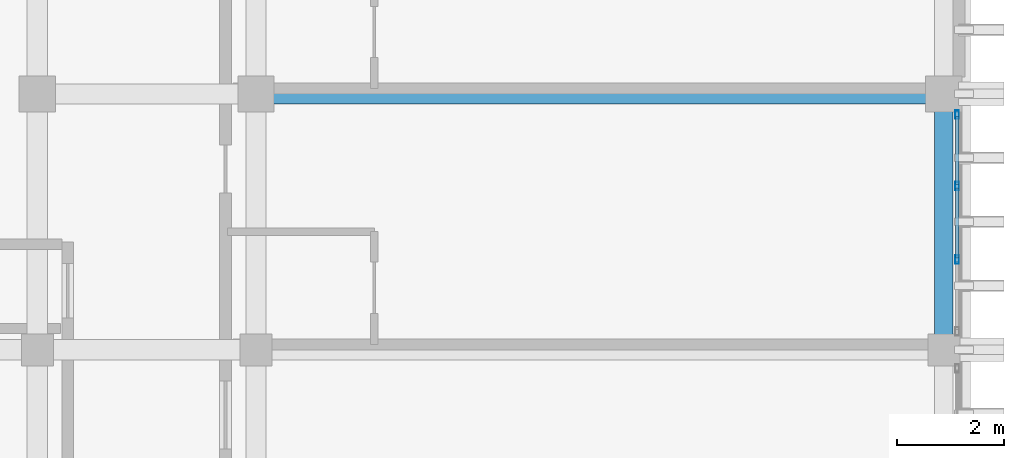
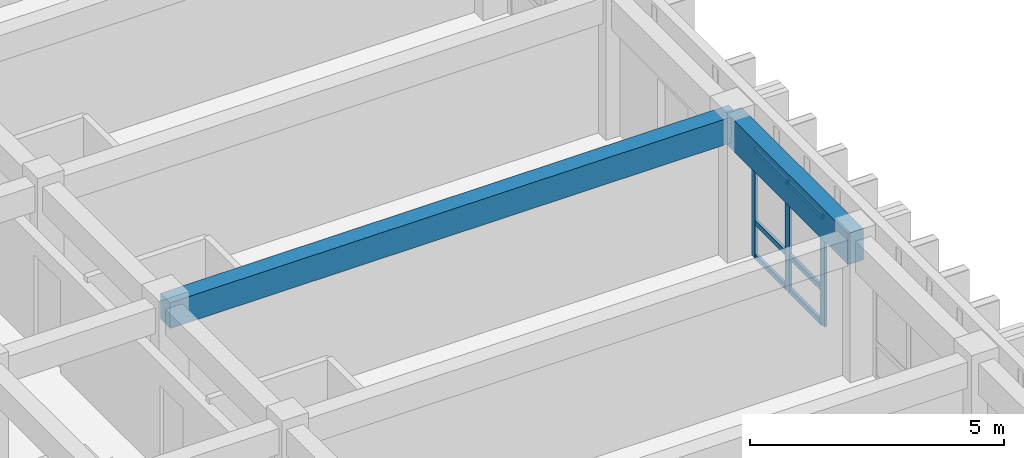
# One storey, part 32 of 53: 9 members, 2 beams, 1 element without a shape of its own.
"""IFC4 building model written with IfcOpenShell, lengths in metres."""

import ifcopenshell
import ifcopenshell.guid

model = None  # the IFC model being written
_history = None  # IfcOwnerHistory: only IFC2X3 demands one
_inside = {}  # id of a spatial element -> (the spatial element, [elements in it])
_under = {}  # id of a project, library or spatial element -> (it, [spatial elements below it])
_declared = {}  # id of a project -> (the project, [libraries it declares])
_typed = {}  # id of a type object -> (the type object, [elements of that type])
_made_of = {}  # id of a material, layer set ... -> (it, [elements and type objects made of it])


def new_model(schema):
    """Start an empty IFC model of exactly this schema.

    Asked for "IFC4X3", IfcOpenShell would pick the latest addendum, in which some entities
    have other attributes; the version numbers below select the first issue.
    IFC2X3 requires an IfcOwnerHistory on every rooted entity: one is made here for all.
    """
    global model, _history
    if schema == "IFC4X3":
        model = ifcopenshell.file(schema_version=(4, 3, 0, 0))
    else:
        model = ifcopenshell.file(schema=schema)
    _inside.clear()
    _under.clear()
    _declared.clear()
    _typed.clear()
    _made_of.clear()
    _history = None
    if model.schema == "IFC2X3":
        org = make("IfcOrganization", Name="unknown")
        user = make(
            "IfcPersonAndOrganization",
            ThePerson=make("IfcPerson", FamilyName="unknown"),
            TheOrganization=org,
        )
        app = make(
            "IfcApplication",
            ApplicationDeveloper=org,
            Version="unknown",
            ApplicationFullName="unknown",
            ApplicationIdentifier="unknown",
        )
        _history = make(
            "IfcOwnerHistory",
            OwningUser=user,
            OwningApplication=app,
            ChangeAction="ADDED",
            CreationDate=0,
        )
    return model


def make(cls, **values):
    """One entity of the class cls with the attributes given. An attribute that is None is left unset."""
    return model.create_entity(
        cls, **{name: value for name, value in values.items() if value is not None}
    )


def rooted(cls, **values):
    """An entity with a GlobalId (a new one), such as an element, a storey or a relation."""
    return make(cls, GlobalId=ifcopenshell.guid.new(), OwnerHistory=_history, **values)


def si_unit(unit_type, name, prefix=None):
    """IfcSIUnit, for example si_unit("LENGTHUNIT", "METRE", prefix="MILLI")."""
    return make("IfcSIUnit", UnitType=unit_type, Prefix=prefix, Name=name)


def assignment(units):
    """IfcUnitAssignment: the units of a project."""
    return None if units is None else make("IfcUnitAssignment", Units=units)


def point(xyz):
    """IfcCartesianPoint."""
    return None if xyz is None else make("IfcCartesianPoint", Coordinates=xyz)


def direction(xyz):
    """IfcDirection."""
    return None if xyz is None else make("IfcDirection", DirectionRatios=xyz)


def frame(location, z_axis=None, x_axis=None):
    """IfcAxis2Placement3D, a coordinate frame: its origin and axes. An axis left out is left unset."""
    return make(
        "IfcAxis2Placement3D",
        Location=point(location),
        Axis=direction(z_axis),
        RefDirection=direction(x_axis),
    )


def frame_2d(location, x_axis=None):
    """IfcAxis2Placement2D, a coordinate frame in the plane: its origin and x axis."""
    return make(
        "IfcAxis2Placement2D", Location=point(location), RefDirection=direction(x_axis)
    )


def origin():
    """The frame at (0, 0, 0) with its axes left unset."""
    return frame((0.0, 0.0, 0.0))


def origin_2d():
    """The frame at (0, 0) in the plane with its x axis left unset."""
    return frame_2d((0.0, 0.0))


def place(relative_to, where):
    """IfcLocalPlacement: puts the frame where relative to a parent placement (None: the world)."""
    return make(
        "IfcLocalPlacement", PlacementRelTo=relative_to, RelativePlacement=where
    )


def context(
    kind, dimensions, precision=None, world=None, true_north=None, identifier=None
):
    """IfcGeometricRepresentationContext, for example the 3D "Model" context."""
    return make(
        "IfcGeometricRepresentationContext",
        ContextIdentifier=identifier,
        ContextType=kind,
        CoordinateSpaceDimension=dimensions,
        Precision=precision,
        WorldCoordinateSystem=world,
        TrueNorth=true_north,
    )


def subcontext(parent, identifier, kind, view, scale=None):
    """IfcGeometricRepresentationSubContext, for example "Body" below "Model"."""
    return make(
        "IfcGeometricRepresentationSubContext",
        ContextIdentifier=identifier,
        ContextType=kind,
        ParentContext=parent,
        TargetScale=scale,
        TargetView=view,
    )


def project(units=None, contexts=None):
    """IfcProject with its units and contexts."""
    return rooted(
        "IfcProject",
        Name="project",
        RepresentationContexts=contexts,
        UnitsInContext=assignment(units),
    )


def spatial(cls, under=None, at=None, **own):
    """A site, building, storey or space (cls), placed at a placement, below another one or the project."""
    s = rooted(cls, ObjectPlacement=at, **own)
    if under is not None:
        _under.setdefault(under.id(), (under, []))[1].append(s)
    return s


def profile(cls, at=None, kind="AREA", **sizes):
    """A parametric profile (cls). Its sizes go by their IFC names, for example OverallWidth=200.0."""
    return make(cls, ProfileType=kind, Position=at, **sizes)


def rectangle(**sizes):
    """IfcRectangleProfileDef."""
    return profile("IfcRectangleProfileDef", **sizes)


def hollow_rectangle(**sizes):
    """IfcRectangleHollowProfileDef."""
    return profile("IfcRectangleHollowProfileDef", **sizes)


def extrude(swept, where, along, depth):
    """IfcExtrudedAreaSolid: the profile swept, set in the frame where, extruded along a direction by depth."""
    return make(
        "IfcExtrudedAreaSolid",
        SweptArea=swept,
        Position=where,
        ExtrudedDirection=direction(along),
        Depth=depth,
    )


def shape(context_of_items, identifier, shape_type, items):
    """IfcShapeRepresentation: the items that make up one representation, for example the "Body"."""
    return make(
        "IfcShapeRepresentation",
        ContextOfItems=context_of_items,
        RepresentationIdentifier=identifier,
        RepresentationType=shape_type,
        Items=items,
    )


def material(Name=None, Category=None):
    """IfcMaterial."""
    return make("IfcMaterial", Name=Name, Category=Category)


def layer(
    of_material, thickness, ventilated=None, Name=None, Category=None, Priority=None
):
    """IfcMaterialLayer: one layer of a wall or slab, of a material (None: an air gap)."""
    return make(
        "IfcMaterialLayer",
        Material=of_material,
        LayerThickness=thickness,
        IsVentilated=ventilated,
        Name=Name,
        Category=Category,
        Priority=Priority,
    )


def layer_set(layers, Name=None):
    """IfcMaterialLayerSet."""
    return make("IfcMaterialLayerSet", MaterialLayers=layers, LayerSetName=Name)


def material_profile(
    of_material, cross_section, Name=None, Category=None, Priority=None
):
    """IfcMaterialProfile: a cross section and its material."""
    return make(
        "IfcMaterialProfile",
        Name=Name,
        Material=of_material,
        Profile=cross_section,
        Priority=Priority,
        Category=Category,
    )


def profile_set(profiles, Name=None, composite=None):
    """IfcMaterialProfileSet."""
    return make(
        "IfcMaterialProfileSet",
        Name=Name,
        MaterialProfiles=profiles,
        CompositeProfile=composite,
    )


def made_of(thing, what):
    """Note that an element or type object is made of a material, layer set ...; save() writes the relation."""
    if what is not None:
        _made_of.setdefault(what.id(), (what, []))[1].append(thing)
    return thing


def type_object(cls, material=None, **own):
    """A type object (cls), such as IfcWallType, which elements share."""
    return made_of(rooted(cls, **own), material)


def element(
    cls,
    number,
    at=None,
    inside=None,
    cuts=None,
    type_object=None,
    material=None,
    context=None,
    identifier="Body",
    shape_type=None,
    held_by="IfcProductDefinitionShape",
    body=None,
    shapes=None,
    **own,
):
    """One element of the class cls, such as IfcWall. Its Tag is "e" and its number.

    at: its placement. inside: the storey or other place that contains it. cuts: it is an
    opening in that element (IfcRelVoidsElement). A single representation is given by context,
    identifier, shape_type and body (its items); several are given by shapes. held_by: the class
    of the entity that holds the representations. save() writes the other relations.
    """
    e = rooted(cls, Tag="e%d" % number, ObjectPlacement=at, **own)
    if body is not None:
        shapes = [shape(context, identifier, shape_type, body)]
    if shapes is not None:
        e.Representation = make(held_by, Representations=shapes)
    if inside is not None:
        _inside.setdefault(inside.id(), (inside, []))[1].append(e)
    if cuts is not None:
        rooted(
            "IfcRelVoidsElement", RelatingBuildingElement=cuts, RelatedOpeningElement=e
        )
    if type_object is not None:
        _typed.setdefault(type_object.id(), (type_object, []))[1].append(e)
    return made_of(e, material)


def aggregate(whole, parts):
    """IfcRelAggregates: a whole, such as a stair, and the parts it consists of."""
    return rooted("IfcRelAggregates", RelatingObject=whole, RelatedObjects=parts)


def save(model, path):
    """Write the relations noted so far, then the file.

    IfcRelAggregates (storeys below a building ...), IfcRelContainedInSpatialStructure (elements
    in a storey), IfcRelDefinesByType, IfcRelAssociatesMaterial and IfcRelDeclares: one each for
    every whole, place, type object, material and project.
    """
    for whole, parts in _under.values():
        aggregate(whole, parts)
    for where, things in _inside.values():
        rooted(
            "IfcRelContainedInSpatialStructure",
            RelatedElements=things,
            RelatingStructure=where,
        )
    for kind, things in _typed.values():
        rooted("IfcRelDefinesByType", RelatedObjects=things, RelatingType=kind)
    for what, things in _made_of.values():
        rooted("IfcRelAssociatesMaterial", RelatedObjects=things, RelatingMaterial=what)
    for by, libraries in _declared.values():
        rooted("IfcRelDeclares", RelatingContext=by, RelatedDefinitions=libraries)
    model.write(path)


model = new_model("IFC4")

# Units and contexts
model_context = context("Model", 3, precision=1e-05, world=origin(), true_north=direction((0.0, 1.0)))
body_context = subcontext(model_context, "Body", "Model", "MODEL_VIEW")
ifc_project = project(units=[si_unit("LENGTHUNIT", "METRE"), si_unit("AREAUNIT", "SQUARE_METRE"), si_unit("VOLUMEUNIT", "CUBIC_METRE"), si_unit("PLANEANGLEUNIT", "RADIAN"), si_unit("MASSUNIT", "GRAM", prefix="KILO")], contexts=[model_context])

# Site, building, storey
site_placement = place(None, origin())
site = spatial("IfcSite", under=ifc_project, at=site_placement, CompositionType="ELEMENT")
building_placement = place(site_placement, origin())
building = spatial("IfcBuilding", under=site, at=building_placement, Name="Nakhvara Creek Congress Hotel", CompositionType="ELEMENT")
storey_placement = place(building_placement, frame((0.0, 0.0, 35.39990234375)))
storey = spatial("IfcBuildingStorey", under=building, at=storey_placement, Name="L08", CompositionType="ELEMENT", Elevation=35.39990234375)

# Beams
ifc_material_1 = material(Name="Concrete C40/50", Category="concrete")
ifc_material_profile_1 = material_profile(ifc_material_1, rectangle(XDim=0.3798828125, YDim=0.6201171875, at=origin_2d()), Name="RC-BM 380x620", Category="LoadBearing")
ifc_profile_set_1 = profile_set([ifc_material_profile_1], Name="Concrete C40/50")
beam_type_1 = type_object("IfcBeamType", Name="BM-RC-380X620", PredefinedType="BEAM", material=ifc_profile_set_1)
beam_1_placement = place(storey_placement, frame((166.449951171875, 105.60009765625, 3.050048828125), z_axis=(1.0, 0.0, 0.0), x_axis=(0.0, 1.0, 0.0)))
element("IfcBeam", 1, at=beam_1_placement, inside=storey, type_object=beam_type_1, Name="Beam B10-L08-2488", PredefinedType="BEAM", context=body_context, shape_type="SweptSolid", body=[
    extrude(rectangle(XDim=0.3798828125, YDim=0.6201171875, at=origin_2d()), origin(), (0.0, 0.0, 1.0), 12.900146484375),
])
ifc_material_profile_2 = material_profile(ifc_material_1, rectangle(XDim=0.35009765625, YDim=0.75, at=origin_2d()), Name="RC-SPANDREL 350x750", Category="LoadBearing")
ifc_profile_set_2 = profile_set([ifc_material_profile_2], Name="Concrete C40/50")
beam_type_2 = type_object("IfcBeamType", Name="BM-SPN-350X750", PredefinedType="SPANDREL", material=ifc_profile_set_2)
beam_2_placement = place(storey_placement, frame((179.35009765625, 100.800048828125, 2.985107421875), z_axis=(0.0, 1.0, 0.0), x_axis=(-1.0, 0.0, 0.0)))
element("IfcBeam", 2, at=beam_2_placement, inside=storey, type_object=beam_type_2, Name="Beam SP1-L08-2506", PredefinedType="SPANDREL", context=body_context, shape_type="SweptSolid", body=[
    extrude(rectangle(XDim=0.35009765625, YDim=0.75, at=origin_2d()), origin(), (0.0, 0.0, 1.0), 4.800048828125),
])

# Curtain wall, members
ifc_material_2 = material(Name="Bronze-anodised aluminium AW-6063-T6 and double-silver low-E glass", Category="aluminium")
ifc_layer = layer(ifc_material_2, 0.199951171875)
ifc_layer_set = layer_set([ifc_layer], Name="Bronze-anodised aluminium AW-6063-T6 and double-silver low-E glass")
curtain_wall_type = type_object("IfcCurtainWallType", Name="CW-HTL-UNIT", PredefinedType="USERDEFINED", material=ifc_layer_set)
curtain_wall_placement = place(storey_placement, origin())
curtain_wall = element("IfcCurtainWall", 3, at=curtain_wall_placement, inside=storey, type_object=curtain_wall_type, Name="Curtain Wall CW289", ObjectType="UNITISED", PredefinedType="USERDEFINED")
ifc_material_3 = material(Name="Bronze-anodised aluminium AW-6063-T6", Category="aluminium")
ifc_material_profile_3 = material_profile(ifc_material_3, hollow_rectangle(XDim=0.06494140625, YDim=0.159912109375, WallThickness=0.00390625, at=origin_2d()), Name="ALU-MULL 65x160x4", Category="LoadBearing")
ifc_profile_set_3 = profile_set([ifc_material_profile_3], Name="Bronze-anodised aluminium AW-6063-T6")
member_type_1 = type_object("IfcMemberType", Name="CW-MULL-160", PredefinedType="MULLION", material=ifc_profile_set_3)
member_1_placement = place(storey_placement, frame((179.60009765625, 105.21240234375, 0.0), z_axis=(0.0, 0.0, 1.0), x_axis=(1.0, 0.0, 0.0)))
member_1 = element("IfcMember", 4, at=member_1_placement, type_object=member_type_1, Name="CW289 mullion 1", PredefinedType="MULLION", context=body_context, shape_type="SweptSolid", body=[
    extrude(hollow_rectangle(XDim=0.06494140625, YDim=0.159912109375, WallThickness=0.00390625, at=origin_2d()), origin(), (0.0, 0.0, 1.0), 2.60205078125),
])
member_2_placement = place(storey_placement, frame((179.60009765625, 103.868408203125, 0.0), z_axis=(0.0, 0.0, 1.0), x_axis=(1.0, 0.0, 0.0)))
member_2 = element("IfcMember", 5, at=member_2_placement, type_object=member_type_1, Name="CW289 mullion 2", PredefinedType="MULLION", context=body_context, shape_type="SweptSolid", body=[
    extrude(hollow_rectangle(XDim=0.06494140625, YDim=0.159912109375, WallThickness=0.00390625, at=origin_2d()), origin(), (0.0, 0.0, 1.0), 2.60205078125),
])
member_3_placement = place(storey_placement, frame((179.60009765625, 102.49169921875, 0.0), z_axis=(0.0, 0.0, 1.0), x_axis=(1.0, 0.0, 0.0)))
member_3 = element("IfcMember", 6, at=member_3_placement, type_object=member_type_1, Name="CW289 mullion 3", PredefinedType="MULLION", context=body_context, shape_type="SweptSolid", body=[
    extrude(hollow_rectangle(XDim=0.06494140625, YDim=0.159912109375, WallThickness=0.00390625, at=origin_2d()), origin(), (0.0, 0.0, 1.0), 2.60205078125),
])
ifc_material_profile_4 = material_profile(ifc_material_3, hollow_rectangle(XDim=0.06494140625, YDim=0.1201171875, WallThickness=0.00390625, at=origin_2d()), Name="ALU-TRAN 65x120x4", Category="LoadBearing")
ifc_profile_set_4 = profile_set([ifc_material_profile_4], Name="Bronze-anodised aluminium AW-6063-T6")
member_type_2 = type_object("IfcMemberType", Name="CW-TRAN-120", PredefinedType="USERDEFINED", material=ifc_profile_set_4)
member_4_placement = place(storey_placement, frame((179.60009765625, 105.179931640625, 0.03271484375), z_axis=(0.0, -1.0, 0.0), x_axis=(1.0, 0.0, 0.0)))
member_4 = element("IfcMember", 7, at=member_4_placement, type_object=member_type_2, Name="CW289 transom 1.1", ObjectType="TRANSOM", PredefinedType="USERDEFINED", context=body_context, shape_type="SweptSolid", body=[
    extrude(hollow_rectangle(XDim=0.06494140625, YDim=0.1201171875, WallThickness=0.00390625, at=origin_2d()), origin(), (0.0, 0.0, 1.0), 1.279052734375),
])
member_5_placement = place(storey_placement, frame((179.60009765625, 105.179931640625, 0.85009765625), z_axis=(0.0, -1.0, 0.0), x_axis=(1.0, 0.0, 0.0)))
member_5 = element("IfcMember", 8, at=member_5_placement, type_object=member_type_2, Name="CW289 transom 1.2", ObjectType="TRANSOM", PredefinedType="USERDEFINED", context=body_context, shape_type="SweptSolid", body=[
    extrude(hollow_rectangle(XDim=0.06494140625, YDim=0.1201171875, WallThickness=0.00390625, at=origin_2d()), origin(), (0.0, 0.0, 1.0), 1.279052734375),
])
member_6_placement = place(storey_placement, frame((179.60009765625, 105.179931640625, 2.569580078125), z_axis=(0.0, -1.0, 0.0), x_axis=(1.0, 0.0, 0.0)))
member_6 = element("IfcMember", 9, at=member_6_placement, type_object=member_type_2, Name="CW289 transom 1.3", ObjectType="TRANSOM", PredefinedType="USERDEFINED", context=body_context, shape_type="SweptSolid", body=[
    extrude(hollow_rectangle(XDim=0.06494140625, YDim=0.1201171875, WallThickness=0.00390625, at=origin_2d()), origin(), (0.0, 0.0, 1.0), 1.279052734375),
])
member_7_placement = place(storey_placement, frame((179.60009765625, 103.8359375, 0.03271484375), z_axis=(0.0, -1.0, 0.0), x_axis=(1.0, 0.0, 0.0)))
member_7 = element("IfcMember", 10, at=member_7_placement, type_object=member_type_2, Name="CW289 transom 2.1", ObjectType="TRANSOM", PredefinedType="USERDEFINED", context=body_context, shape_type="SweptSolid", body=[
    extrude(hollow_rectangle(XDim=0.06494140625, YDim=0.1201171875, WallThickness=0.00390625, at=origin_2d()), origin(), (0.0, 0.0, 1.0), 1.311767578125),
])
member_8_placement = place(storey_placement, frame((179.60009765625, 103.8359375, 0.85009765625), z_axis=(0.0, -1.0, 0.0), x_axis=(1.0, 0.0, 0.0)))
member_8 = element("IfcMember", 11, at=member_8_placement, type_object=member_type_2, Name="CW289 transom 2.2", ObjectType="TRANSOM", PredefinedType="USERDEFINED", context=body_context, shape_type="SweptSolid", body=[
    extrude(hollow_rectangle(XDim=0.06494140625, YDim=0.1201171875, WallThickness=0.00390625, at=origin_2d()), origin(), (0.0, 0.0, 1.0), 1.311767578125),
])
member_9_placement = place(storey_placement, frame((179.60009765625, 103.8359375, 2.569580078125), z_axis=(0.0, -1.0, 0.0), x_axis=(1.0, 0.0, 0.0)))
member_9 = element("IfcMember", 12, at=member_9_placement, type_object=member_type_2, Name="CW289 transom 2.3", ObjectType="TRANSOM", PredefinedType="USERDEFINED", context=body_context, shape_type="SweptSolid", body=[
    extrude(hollow_rectangle(XDim=0.06494140625, YDim=0.1201171875, WallThickness=0.00390625, at=origin_2d()), origin(), (0.0, 0.0, 1.0), 1.311767578125),
])
aggregate(curtain_wall, [member_1, member_2, member_3, member_4, member_5, member_6, member_7, member_8, member_9])

save(model, "model.ifc")
